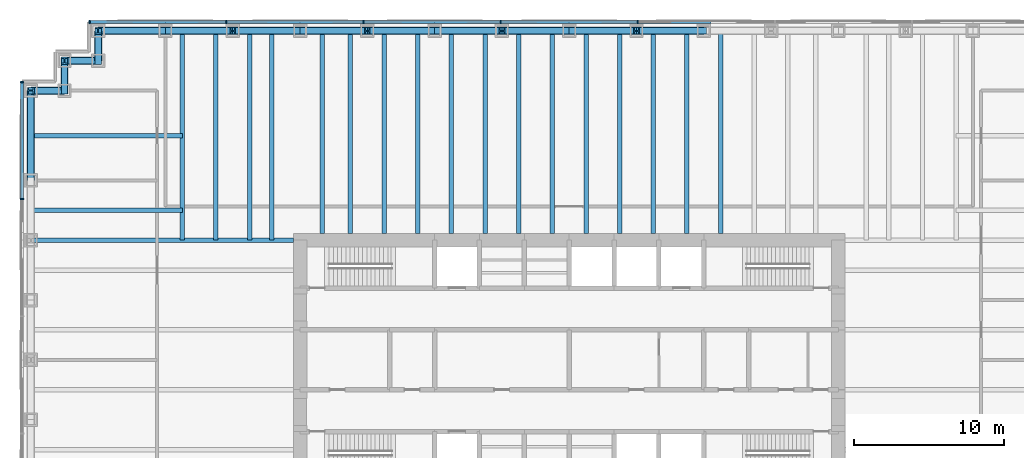
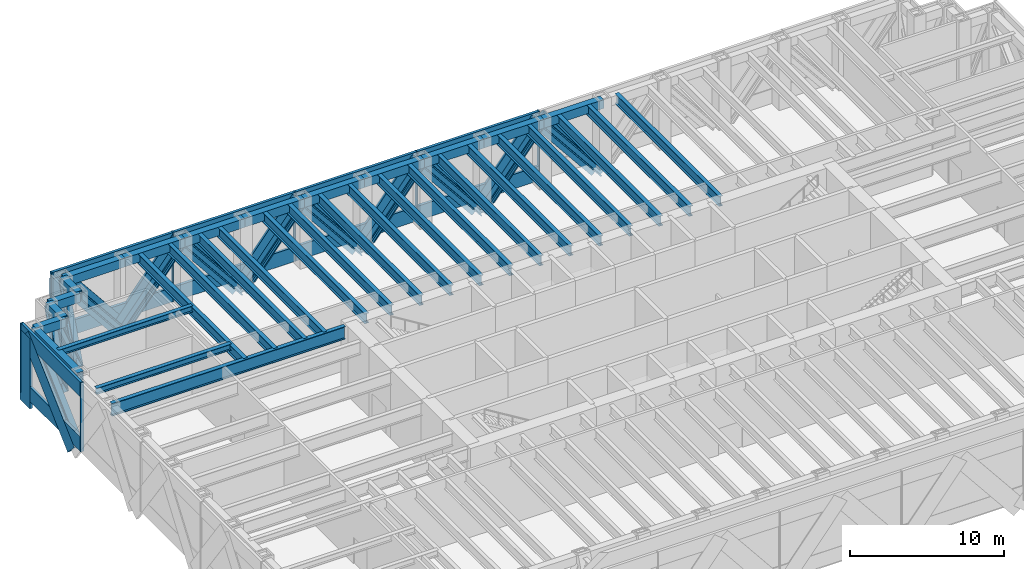
# One storey, part 6 of 16: 43 members, 34 beams, 2 elements without a shape of their own.
"""IFC4 building model written with IfcOpenShell, lengths in metres."""

from ifc_helpers import new_model, si_unit, direction, frame, origin, origin_2d, place, context, subcontext, project, spatial, rectangle, hollow_rectangle, i_section, extrude, material, material_profile, profile_set, type_object, element, aggregate, save


model = new_model("IFC4")

# Units and contexts
model_context = context("Model", 3, precision=1e-05, world=origin(), true_north=direction((0.0, 1.0)))
body_context = subcontext(model_context, "Body", "Model", "MODEL_VIEW")
ifc_project = project(units=[si_unit("LENGTHUNIT", "METRE"), si_unit("AREAUNIT", "SQUARE_METRE"), si_unit("VOLUMEUNIT", "CUBIC_METRE"), si_unit("PLANEANGLEUNIT", "RADIAN"), si_unit("MASSUNIT", "GRAM", prefix="KILO")], contexts=[model_context])

# Site, building, storey
site_placement = place(None, origin())
site = spatial("IfcSite", under=ifc_project, at=site_placement, CompositionType="ELEMENT")
building_placement = place(site_placement, origin())
building = spatial("IfcBuilding", under=site, at=building_placement, Name="Rheinbord Bourse Tower", CompositionType="ELEMENT")
storey_placement = place(building_placement, frame((0.0, 0.0, 95.0)))
storey = spatial("IfcBuildingStorey", under=building, at=storey_placement, Name="L20", CompositionType="ELEMENT", Elevation=95.0)

# Beams
ifc_material_1 = material(Name="Steel S460M", Category="steel")
ifc_material_profile_1 = material_profile(ifc_material_1, hollow_rectangle(XDim=0.5, YDim=0.699951171875, WallThickness=0.0400390625, at=origin_2d()), Name="BOX 700x500x40")
ifc_profile_set_1 = profile_set([ifc_material_profile_1], Name="Steel S460M")
beam_type_1 = type_object("IfcBeamType", Name="BELT CHORD BOX 700x500x40", PredefinedType="SPANDREL", material=ifc_profile_set_1)
for number, where, z_axis, x_axis, name in (
    (1, (45.0, 46.0, 4.989990234375), (-1.0, 0.0, 0.0), (0.0, -1.0, 0.0), "Spandrel N-45-N-40.5 under L21"),
    (2, (40.5, 46.0, 4.989990234375), (-1.0, 0.0, 0.0), (0.0, -1.0, 0.0), "Spandrel N-40.5-N-36 under L21"),
    (3, (36.0, 46.0, 4.989990234375), (-1.0, 0.0, 0.0), (0.0, -1.0, 0.0), "Spandrel N-36-N-31.5 under L21"),
    (4, (31.5, 46.0, 4.989990234375), (-1.0, 0.0, 0.0), (0.0, -1.0, 0.0), "Spandrel N-31.5-N-27 under L21"),
    (5, (27.0, 46.0, 4.989990234375), (-1.0, 0.0, 0.0), (0.0, -1.0, 0.0), "Spandrel N-27-N-22.5 under L21"),
    (6, (22.5, 46.0, 4.989990234375), (-1.0, 0.0, 0.0), (0.0, -1.0, 0.0), "Spandrel N-22.5-N-18 under L21"),
    (7, (18.0, 46.0, 4.989990234375), (-1.0, 0.0, 0.0), (0.0, -1.0, 0.0), "Spandrel N-18-N-13.5 under L21"),
    (8, (13.5, 46.0, 4.989990234375), (-1.0, 0.0, 0.0), (0.0, -1.0, 0.0), "Spandrel N-13.5-N-9 under L21"),
    (9, (9.0, 46.0, 4.989990234375), (-1.0, 0.0, 0.0), (0.0, -1.0, 0.0), "Spandrel N-9-NW-E under L21"),
):
    element("IfcBeam", number, at=place(storey_placement, frame(where, z_axis=z_axis, x_axis=x_axis)), inside=storey, type_object=beam_type_1, Name=name, PredefinedType="SPANDREL", context=body_context, shape_type="SweptSolid", body=[
        extrude(hollow_rectangle(XDim=0.5, YDim=0.699951171875, WallThickness=0.0400390625, at=origin_2d()), origin(), (0.0, 0.0, 1.0), 4.5),
    ])
beam_1_placement = place(storey_placement, frame((4.5, 46.0, 4.989990234375), z_axis=(0.0, -1.0, 0.0), x_axis=(1.0, 0.0, 0.0)))
element("IfcBeam", 10, at=beam_1_placement, inside=storey, type_object=beam_type_1, Name="Spandrel NW-E-NW-D under L21", PredefinedType="SPANDREL", context=body_context, shape_type="SweptSolid", body=[
    extrude(hollow_rectangle(XDim=0.5, YDim=0.699951171875, WallThickness=0.0400390625, at=origin_2d()), origin(), (0.0, 0.0, 1.0), 2.0),
])
beam_2_placement = place(storey_placement, frame((4.5, 44.0, 4.989990234375), z_axis=(-1.0, 0.0, 0.0), x_axis=(0.0, -1.0, 0.0)))
element("IfcBeam", 11, at=beam_2_placement, inside=storey, type_object=beam_type_1, Name="Spandrel NW-D-NW-C under L21", PredefinedType="SPANDREL", context=body_context, shape_type="SweptSolid", body=[
    extrude(hollow_rectangle(XDim=0.5, YDim=0.699951171875, WallThickness=0.0400390625, at=origin_2d()), origin(), (0.0, 0.0, 1.0), 2.25),
])
beam_3_placement = place(storey_placement, frame((2.25, 44.0, 4.989990234375), z_axis=(0.0, -1.0, 0.0), x_axis=(1.0, 0.0, 0.0)))
element("IfcBeam", 12, at=beam_3_placement, inside=storey, type_object=beam_type_1, Name="Spandrel NW-C-NW-B under L21", PredefinedType="SPANDREL", context=body_context, shape_type="SweptSolid", body=[
    extrude(hollow_rectangle(XDim=0.5, YDim=0.699951171875, WallThickness=0.0400390625, at=origin_2d()), origin(), (0.0, 0.0, 1.0), 2.0),
])
beam_4_placement = place(storey_placement, frame((2.25, 42.0, 4.989990234375), z_axis=(-1.0, 0.0, 0.0), x_axis=(0.0, -1.0, 0.0)))
element("IfcBeam", 13, at=beam_4_placement, inside=storey, type_object=beam_type_1, Name="Spandrel NW-B-NW-A under L21", PredefinedType="SPANDREL", context=body_context, shape_type="SweptSolid", body=[
    extrude(hollow_rectangle(XDim=0.5, YDim=0.699951171875, WallThickness=0.0400390625, at=origin_2d()), origin(), (0.0, 0.0, 1.0), 2.25),
])
beam_5_placement = place(storey_placement, frame((0.0, 42.0, 4.989990234375), z_axis=(0.0, -1.0, 0.0), x_axis=(1.0, 0.0, 0.0)))
element("IfcBeam", 14, at=beam_5_placement, inside=storey, type_object=beam_type_1, Name="Spandrel NW-A-W-36 under L21", PredefinedType="SPANDREL", context=body_context, shape_type="SweptSolid", body=[
    extrude(hollow_rectangle(XDim=0.5, YDim=0.699951171875, WallThickness=0.0400390625, at=origin_2d()), origin(), (0.0, 0.0, 1.0), 6.0),
])

# Members
ifc_material_2 = material(Name="Steel S460", Category="steel")
ifc_material_profile_2 = material_profile(ifc_material_2, i_section(OverallWidth=0.431884765625, OverallDepth=0.498046875, WebThickness=0.0556640625, FlangeThickness=0.0888671875, at=origin_2d()), Name="HD 400x744")
ifc_profile_set_2 = profile_set([ifc_material_profile_2], Name="Steel S460")
member_type_1 = type_object("IfcMemberType", Name="BELT DIAGONAL HD 400x744", PredefinedType="STRUT", material=ifc_profile_set_2)
for number, where, z_axis, x_axis, name in (
    (15, (45.0, 46.0, -0.60009765625), (-0.627065297878, 0.0, 0.778966695178), (0.0, -1.0, 0.0), "Belt truss diagonal N-45-N-40.5 L20"),
    (16, (36.0, 46.0, -0.60009765625), (0.627065297878, 0.0, 0.778966695178), (0.0, 1.0, 0.0), "Belt truss diagonal N-40.5-N-36 L20"),
    (17, (36.0, 46.0, -0.60009765625), (-0.627065297878, 0.0, 0.778966695178), (0.0, -1.0, 0.0), "Belt truss diagonal N-36-N-31.5 L20"),
    (18, (27.0, 46.0, -0.60009765625), (0.627065297878, 0.0, 0.778966695178), (0.0, 1.0, 0.0), "Belt truss diagonal N-31.5-N-27 L20"),
    (19, (27.0, 46.0, -0.60009765625), (-0.627065297878, 0.0, 0.778966695178), (0.0, -1.0, 0.0), "Belt truss diagonal N-27-N-22.5 L20"),
    (20, (18.0, 46.0, -0.60009765625), (0.627065297878, 0.0, 0.778966695178), (0.0, 1.0, 0.0), "Belt truss diagonal N-22.5-N-18 L20"),
    (21, (18.0, 46.0, -0.60009765625), (-0.627065297878, 0.0, 0.778966695178), (0.0, -1.0, 0.0), "Belt truss diagonal N-18-N-13.5 L20"),
    (22, (9.0, 46.0, -0.60009765625), (0.627065297878, 0.0, 0.778966695178), (0.0, 1.0, 0.0), "Belt truss diagonal N-13.5-N-9 L20"),
    (23, (9.0, 46.0, -0.60009765625), (-0.627065297878, 0.0, 0.778966695178), (0.0, -1.0, 0.0), "Belt truss diagonal N-9-NW-E L20"),
):
    element("IfcMember", number, at=place(storey_placement, frame(where, z_axis=z_axis, x_axis=x_axis)), inside=storey, type_object=member_type_1, Name=name, PredefinedType="STRUT", context=body_context, shape_type="SweptSolid", body=[
        extrude(i_section(OverallWidth=0.431884765625, OverallDepth=0.498046875, WebThickness=0.0556640625, FlangeThickness=0.0888671875, at=origin_2d()), origin(), (0.0, 0.0, 1.0), 7.17626953125),
    ])
member_1_placement = place(storey_placement, frame((4.5, 44.0, -0.60009765625), z_axis=(0.0, 0.336865151883, 0.941552903159), x_axis=(-1.0, 0.0, 0.0)))
element("IfcMember", 24, at=member_1_placement, inside=storey, type_object=member_type_1, Name="Belt truss diagonal NW-E-NW-D L20", PredefinedType="STRUT", context=body_context, shape_type="SweptSolid", body=[
    extrude(i_section(OverallWidth=0.431884765625, OverallDepth=0.498046875, WebThickness=0.0556640625, FlangeThickness=0.0888671875, at=origin_2d()), origin(), (0.0, 0.0, 1.0), 5.93701171875),
])
member_2_placement = place(storey_placement, frame((4.5, 44.0, -0.60009765625), z_axis=(-0.37338763268, 0.0, 0.92767541509), x_axis=(0.0, -1.0, 0.0)))
element("IfcMember", 25, at=member_2_placement, inside=storey, type_object=member_type_1, Name="Belt truss diagonal NW-D-NW-C L20", PredefinedType="STRUT", context=body_context, shape_type="SweptSolid", body=[
    extrude(i_section(OverallWidth=0.431884765625, OverallDepth=0.498046875, WebThickness=0.0556640625, FlangeThickness=0.0888671875, at=origin_2d()), origin(), (0.0, 0.0, 1.0), 6.02587890625),
])
member_3_placement = place(storey_placement, frame((2.25, 42.0, -0.60009765625), z_axis=(0.0, 0.336865151883, 0.941552903159), x_axis=(-1.0, 0.0, 0.0)))
element("IfcMember", 26, at=member_3_placement, inside=storey, type_object=member_type_1, Name="Belt truss diagonal NW-C-NW-B L20", PredefinedType="STRUT", context=body_context, shape_type="SweptSolid", body=[
    extrude(i_section(OverallWidth=0.431884765625, OverallDepth=0.498046875, WebThickness=0.0556640625, FlangeThickness=0.0888671875, at=origin_2d()), origin(), (0.0, 0.0, 1.0), 5.93701171875),
])
member_4_placement = place(storey_placement, frame((2.25, 42.0, -0.60009765625), z_axis=(-0.37338763268, 0.0, 0.92767541509), x_axis=(0.0, -1.0, 0.0)))
element("IfcMember", 27, at=member_4_placement, inside=storey, type_object=member_type_1, Name="Belt truss diagonal NW-B-NW-A L20", PredefinedType="STRUT", context=body_context, shape_type="SweptSolid", body=[
    extrude(i_section(OverallWidth=0.431884765625, OverallDepth=0.498046875, WebThickness=0.0556640625, FlangeThickness=0.0888671875, at=origin_2d()), origin(), (0.0, 0.0, 1.0), 6.02587890625),
])
member_5_placement = place(storey_placement, frame((0.0, 36.0, -0.60009765625), z_axis=(0.0, 0.731657903406, 0.681671997652), x_axis=(-1.0, 0.0, 0.0)))
element("IfcMember", 28, at=member_5_placement, inside=storey, type_object=member_type_1, Name="Belt truss diagonal NW-A-W-36 L20", PredefinedType="STRUT", context=body_context, shape_type="SweptSolid", body=[
    extrude(i_section(OverallWidth=0.431884765625, OverallDepth=0.498046875, WebThickness=0.0556640625, FlangeThickness=0.0888671875, at=origin_2d()), origin(), (0.0, 0.0, 1.0), 8.200439453125),
])

# Curtain wall, members
ifc_material_3 = material(Name="Dark glass and black aluminium", Category="aluminium")
curtain_wall_type = type_object("IfcCurtainWallType", Name="CW5 DARK GLASS CURTAIN WALL", PredefinedType="USERDEFINED", material=ifc_material_3)
curtain_wall_1_placement = place(storey_placement, origin())
curtain_wall_1 = element("IfcCurtainWall", 29, at=curtain_wall_1_placement, inside=storey, type_object=curtain_wall_type, Name="Curtain wall CW5 N L20", ObjectType="UNITISED CURTAIN WALL", PredefinedType="USERDEFINED")
ifc_material_4 = material(Name="Black anodised aluminium", Category="aluminium")
ifc_material_profile_3 = material_profile(ifc_material_4, rectangle(XDim=0.199951171875, YDim=1.259033203125, at=origin_2d()), Name="CW5 DIAGONAL MULLION 1259x200")
ifc_profile_set_3 = profile_set([ifc_material_profile_3], Name="Black anodised aluminium")
member_type_2 = type_object("IfcMemberType", Name="CW5 BLACK DIAGONAL MULLION", PredefinedType="USERDEFINED", material=ifc_profile_set_3)
member_6_placement = place(storey_placement, frame((45.0, 46.60009765625, -0.60009765625), z_axis=(-0.627065297878, 0.0, 0.778966695178), x_axis=(0.0, -1.0, 0.0)))
member_6 = element("IfcMember", 30, at=member_6_placement, type_object=member_type_2, Name="CW5 diagonal mullion belt N-45", ObjectType="DIAGONAL MULLION", PredefinedType="USERDEFINED", context=body_context, shape_type="SweptSolid", body=[
    extrude(rectangle(XDim=0.199951171875, YDim=1.259033203125, at=origin_2d()), origin(), (0.0, 0.0, 1.0), 7.17626953125),
])
member_7_placement = place(storey_placement, frame((36.0, 46.60009765625, -0.60009765625), z_axis=(0.627065297878, 0.0, 0.778966695178), x_axis=(0.0, 1.0, 0.0)))
member_7 = element("IfcMember", 31, at=member_7_placement, type_object=member_type_2, Name="CW5 diagonal mullion belt N-40.5", ObjectType="DIAGONAL MULLION", PredefinedType="USERDEFINED", context=body_context, shape_type="SweptSolid", body=[
    extrude(rectangle(XDim=0.199951171875, YDim=1.259033203125, at=origin_2d()), origin(), (0.0, 0.0, 1.0), 7.17626953125),
])
member_8_placement = place(storey_placement, frame((36.0, 46.60009765625, -0.60009765625), z_axis=(-0.627065297878, 0.0, 0.778966695178), x_axis=(0.0, -1.0, 0.0)))
member_8 = element("IfcMember", 32, at=member_8_placement, type_object=member_type_2, Name="CW5 diagonal mullion belt N-36", ObjectType="DIAGONAL MULLION", PredefinedType="USERDEFINED", context=body_context, shape_type="SweptSolid", body=[
    extrude(rectangle(XDim=0.199951171875, YDim=1.259033203125, at=origin_2d()), origin(), (0.0, 0.0, 1.0), 7.17626953125),
])
member_9_placement = place(storey_placement, frame((27.0, 46.60009765625, -0.60009765625), z_axis=(0.627065297878, 0.0, 0.778966695178), x_axis=(0.0, 1.0, 0.0)))
member_9 = element("IfcMember", 33, at=member_9_placement, type_object=member_type_2, Name="CW5 diagonal mullion belt N-31.5", ObjectType="DIAGONAL MULLION", PredefinedType="USERDEFINED", context=body_context, shape_type="SweptSolid", body=[
    extrude(rectangle(XDim=0.199951171875, YDim=1.259033203125, at=origin_2d()), origin(), (0.0, 0.0, 1.0), 7.17626953125),
])
member_10_placement = place(storey_placement, frame((27.0, 46.60009765625, -0.60009765625), z_axis=(-0.627065297878, 0.0, 0.778966695178), x_axis=(0.0, -1.0, 0.0)))
member_10 = element("IfcMember", 34, at=member_10_placement, type_object=member_type_2, Name="CW5 diagonal mullion belt N-27", ObjectType="DIAGONAL MULLION", PredefinedType="USERDEFINED", context=body_context, shape_type="SweptSolid", body=[
    extrude(rectangle(XDim=0.199951171875, YDim=1.259033203125, at=origin_2d()), origin(), (0.0, 0.0, 1.0), 7.17626953125),
])
member_11_placement = place(storey_placement, frame((18.0, 46.60009765625, -0.60009765625), z_axis=(0.627065297878, 0.0, 0.778966695178), x_axis=(0.0, 1.0, 0.0)))
member_11 = element("IfcMember", 35, at=member_11_placement, type_object=member_type_2, Name="CW5 diagonal mullion belt N-22.5", ObjectType="DIAGONAL MULLION", PredefinedType="USERDEFINED", context=body_context, shape_type="SweptSolid", body=[
    extrude(rectangle(XDim=0.199951171875, YDim=1.259033203125, at=origin_2d()), origin(), (0.0, 0.0, 1.0), 7.17626953125),
])
member_12_placement = place(storey_placement, frame((18.0, 46.60009765625, -0.60009765625), z_axis=(-0.627065297878, 0.0, 0.778966695178), x_axis=(0.0, -1.0, 0.0)))
member_12 = element("IfcMember", 36, at=member_12_placement, type_object=member_type_2, Name="CW5 diagonal mullion belt N-18", ObjectType="DIAGONAL MULLION", PredefinedType="USERDEFINED", context=body_context, shape_type="SweptSolid", body=[
    extrude(rectangle(XDim=0.199951171875, YDim=1.259033203125, at=origin_2d()), origin(), (0.0, 0.0, 1.0), 7.17626953125),
])
member_13_placement = place(storey_placement, frame((9.0, 46.60009765625, -0.60009765625), z_axis=(0.627065297878, 0.0, 0.778966695178), x_axis=(0.0, 1.0, 0.0)))
member_13 = element("IfcMember", 37, at=member_13_placement, type_object=member_type_2, Name="CW5 diagonal mullion belt N-13.5", ObjectType="DIAGONAL MULLION", PredefinedType="USERDEFINED", context=body_context, shape_type="SweptSolid", body=[
    extrude(rectangle(XDim=0.199951171875, YDim=1.259033203125, at=origin_2d()), origin(), (0.0, 0.0, 1.0), 7.17626953125),
])
member_14_placement = place(storey_placement, frame((9.0, 46.60009765625, -0.60009765625), z_axis=(-0.627065297878, 0.0, 0.778966695178), x_axis=(0.0, -1.0, 0.0)))
member_14 = element("IfcMember", 38, at=member_14_placement, type_object=member_type_2, Name="CW5 diagonal mullion belt N-9", ObjectType="DIAGONAL MULLION", PredefinedType="USERDEFINED", context=body_context, shape_type="SweptSolid", body=[
    extrude(rectangle(XDim=0.199951171875, YDim=1.259033203125, at=origin_2d()), origin(), (0.0, 0.0, 1.0), 7.17626953125),
])
member_15_placement = place(storey_placement, frame((4.5, 46.60009765625, -0.60009765625), z_axis=(0.0, 0.0, 1.0), x_axis=(0.0, -1.0, 0.0)))
member_15 = element("IfcMember", 39, at=member_15_placement, type_object=member_type_2, Name="CW5 diagonal mullion belt NW-E", ObjectType="DIAGONAL MULLION", PredefinedType="USERDEFINED", context=body_context, shape_type="SweptSolid", body=[
    extrude(rectangle(XDim=0.199951171875, YDim=1.259033203125, at=origin_2d()), origin(), (0.0, 0.0, 1.0), 5.590087890625),
])

curtain_wall_2_placement = place(storey_placement, origin())
curtain_wall_2 = element("IfcCurtainWall", 40, at=curtain_wall_2_placement, inside=storey, type_object=curtain_wall_type, Name="Curtain wall CW5 W L20", ObjectType="UNITISED CURTAIN WALL", PredefinedType="USERDEFINED")
member_16_placement = place(storey_placement, frame((-0.60009765625, 42.0, -0.60009765625), z_axis=(0.0, 0.0, 1.0), x_axis=(1.0, 0.0, 0.0)))
member_16 = element("IfcMember", 41, at=member_16_placement, type_object=member_type_2, Name="CW5 diagonal mullion belt NW-B", ObjectType="DIAGONAL MULLION", PredefinedType="USERDEFINED", context=body_context, shape_type="SweptSolid", body=[
    extrude(rectangle(XDim=0.199951171875, YDim=1.259033203125, at=origin_2d()), origin(), (0.0, 0.0, 1.0), 5.590087890625),
])
member_17_placement = place(storey_placement, frame((-0.60009765625, 36.0, -0.60009765625), z_axis=(0.0, 0.731657903406, 0.681671997652), x_axis=(-1.0, 0.0, 0.0)))
member_17 = element("IfcMember", 42, at=member_17_placement, type_object=member_type_2, Name="CW5 diagonal mullion belt NW-A", ObjectType="DIAGONAL MULLION", PredefinedType="USERDEFINED", context=body_context, shape_type="SweptSolid", body=[
    extrude(rectangle(XDim=0.199951171875, YDim=1.259033203125, at=origin_2d()), origin(), (0.0, 0.0, 1.0), 8.200439453125),
])

# Member
ifc_material_5 = material(Name="Black anodised aluminium", Category="aluminium")
ifc_material_profile_4 = material_profile(ifc_material_5, rectangle(XDim=0.25, YDim=0.080078125, at=origin_2d()), Name="CW5 MULLION 80x250")
ifc_profile_set_4 = profile_set([ifc_material_profile_4], Name="Black anodised aluminium")
member_type_3 = type_object("IfcMemberType", Name="CW5 BLACK MULLION", PredefinedType="MULLION", material=ifc_profile_set_4)
member_18_placement = place(storey_placement, frame((40.585693359375, 46.60009765625, 0.0), z_axis=(0.0, 0.0, 1.0), x_axis=(0.0, -1.0, 0.0)))
member_18 = element("IfcMember", 43, at=member_18_placement, type_object=member_type_3, Name="CW5 mullion 4", PredefinedType="MULLION", context=body_context, shape_type="SweptSolid", body=[
    extrude(rectangle(XDim=0.25, YDim=0.080078125, at=origin_2d()), origin(), (0.0, 0.0, 1.0), 5.5),
])

member_19_placement = place(storey_placement, frame((31.414306640625, 46.60009765625, 0.0), z_axis=(0.0, 0.0, 1.0), x_axis=(0.0, -1.0, 0.0)))
member_19 = element("IfcMember", 44, at=member_19_placement, type_object=member_type_3, Name="CW5 mullion 5", PredefinedType="MULLION", context=body_context, shape_type="SweptSolid", body=[
    extrude(rectangle(XDim=0.25, YDim=0.080078125, at=origin_2d()), origin(), (0.0, 0.0, 1.0), 5.5),
])

member_20_placement = place(storey_placement, frame((22.242919921875, 46.60009765625, 0.0), z_axis=(0.0, 0.0, 1.0), x_axis=(0.0, -1.0, 0.0)))
member_20 = element("IfcMember", 45, at=member_20_placement, type_object=member_type_3, Name="CW5 mullion 6", PredefinedType="MULLION", context=body_context, shape_type="SweptSolid", body=[
    extrude(rectangle(XDim=0.25, YDim=0.080078125, at=origin_2d()), origin(), (0.0, 0.0, 1.0), 5.5),
])

member_21_placement = place(storey_placement, frame((13.071533203125, 46.60009765625, 0.0), z_axis=(0.0, 0.0, 1.0), x_axis=(0.0, -1.0, 0.0)))
member_21 = element("IfcMember", 46, at=member_21_placement, type_object=member_type_3, Name="CW5 mullion 7", PredefinedType="MULLION", context=body_context, shape_type="SweptSolid", body=[
    extrude(rectangle(XDim=0.25, YDim=0.080078125, at=origin_2d()), origin(), (0.0, 0.0, 1.0), 5.5),
])

member_22_placement = place(storey_placement, frame((3.93994140625, 46.60009765625, 0.0), z_axis=(0.0, 0.0, 1.0), x_axis=(0.0, -1.0, 0.0)))
member_22 = element("IfcMember", 47, at=member_22_placement, type_object=member_type_3, Name="CW5 mullion 8", PredefinedType="MULLION", context=body_context, shape_type="SweptSolid", body=[
    extrude(rectangle(XDim=0.25, YDim=0.080078125, at=origin_2d()), origin(), (0.0, 0.0, 1.0), 5.5),
])

member_23_placement = place(storey_placement, frame((-0.60009765625, 42.56005859375, 0.0), z_axis=(0.0, 0.0, 1.0), x_axis=(1.0, 0.0, 0.0)))
member_23 = element("IfcMember", 48, at=member_23_placement, type_object=member_type_3, Name="CW5 mullion 1", PredefinedType="MULLION", context=body_context, shape_type="SweptSolid", body=[
    extrude(rectangle(XDim=0.25, YDim=0.080078125, at=origin_2d()), origin(), (0.0, 0.0, 1.0), 5.5),
])

member_24_placement = place(storey_placement, frame((-0.60009765625, 34.760009765625, 0.0), z_axis=(0.0, 0.0, 1.0), x_axis=(1.0, 0.0, 0.0)))
member_24 = element("IfcMember", 49, at=member_24_placement, type_object=member_type_3, Name="CW5 mullion 2", PredefinedType="MULLION", context=body_context, shape_type="SweptSolid", body=[
    extrude(rectangle(XDim=0.25, YDim=0.080078125, at=origin_2d()), origin(), (0.0, 0.0, 1.0), 5.5),
])

ifc_material_6 = material(Name="Black anodised aluminium", Category="aluminium")
ifc_material_profile_5 = material_profile(ifc_material_6, rectangle(XDim=0.199951171875, YDim=1.14990234375, at=origin_2d()), Name="CW5 TRANSOM 1150x200")
ifc_profile_set_5 = profile_set([ifc_material_profile_5], Name="Black anodised aluminium")
member_type_4 = type_object("IfcMemberType", Name="CW5 BLACK TRANSOM", PredefinedType="USERDEFINED", material=ifc_profile_set_5)
member_25_placement = place(storey_placement, frame((40.545654296875, 46.60009765625, 0.574951171875), z_axis=(-1.0, 0.0, 0.0), x_axis=(0.0, -1.0, 0.0)))
member_25 = element("IfcMember", 50, at=member_25_placement, type_object=member_type_4, Name="CW5 transom 4.1", ObjectType="TRANSOM", PredefinedType="USERDEFINED", context=body_context, shape_type="SweptSolid", body=[
    extrude(rectangle(XDim=0.199951171875, YDim=1.14990234375, at=origin_2d()), origin(), (0.0, 0.0, 1.0), 9.09130859375),
])

member_26_placement = place(storey_placement, frame((40.545654296875, 46.60009765625, 4.925048828125), z_axis=(-1.0, 0.0, 0.0), x_axis=(0.0, -1.0, 0.0)))
member_26 = element("IfcMember", 51, at=member_26_placement, type_object=member_type_4, Name="CW5 transom 4.2", ObjectType="TRANSOM", PredefinedType="USERDEFINED", context=body_context, shape_type="SweptSolid", body=[
    extrude(rectangle(XDim=0.199951171875, YDim=1.14990234375, at=origin_2d()), origin(), (0.0, 0.0, 1.0), 9.09130859375),
])

member_27_placement = place(storey_placement, frame((31.374267578125, 46.60009765625, 0.574951171875), z_axis=(-1.0, 0.0, 0.0), x_axis=(0.0, -1.0, 0.0)))
member_27 = element("IfcMember", 52, at=member_27_placement, type_object=member_type_4, Name="CW5 transom 5.1", ObjectType="TRANSOM", PredefinedType="USERDEFINED", context=body_context, shape_type="SweptSolid", body=[
    extrude(rectangle(XDim=0.199951171875, YDim=1.14990234375, at=origin_2d()), origin(), (0.0, 0.0, 1.0), 9.09130859375),
])

member_28_placement = place(storey_placement, frame((31.374267578125, 46.60009765625, 4.925048828125), z_axis=(-1.0, 0.0, 0.0), x_axis=(0.0, -1.0, 0.0)))
member_28 = element("IfcMember", 53, at=member_28_placement, type_object=member_type_4, Name="CW5 transom 5.2", ObjectType="TRANSOM", PredefinedType="USERDEFINED", context=body_context, shape_type="SweptSolid", body=[
    extrude(rectangle(XDim=0.199951171875, YDim=1.14990234375, at=origin_2d()), origin(), (0.0, 0.0, 1.0), 9.09130859375),
])

member_29_placement = place(storey_placement, frame((22.202880859375, 46.60009765625, 0.574951171875), z_axis=(-1.0, 0.0, 0.0), x_axis=(0.0, -1.0, 0.0)))
member_29 = element("IfcMember", 54, at=member_29_placement, type_object=member_type_4, Name="CW5 transom 6.1", ObjectType="TRANSOM", PredefinedType="USERDEFINED", context=body_context, shape_type="SweptSolid", body=[
    extrude(rectangle(XDim=0.199951171875, YDim=1.14990234375, at=origin_2d()), origin(), (0.0, 0.0, 1.0), 9.091552734375),
])

member_30_placement = place(storey_placement, frame((22.202880859375, 46.60009765625, 4.925048828125), z_axis=(-1.0, 0.0, 0.0), x_axis=(0.0, -1.0, 0.0)))
member_30 = element("IfcMember", 55, at=member_30_placement, type_object=member_type_4, Name="CW5 transom 6.2", ObjectType="TRANSOM", PredefinedType="USERDEFINED", context=body_context, shape_type="SweptSolid", body=[
    extrude(rectangle(XDim=0.199951171875, YDim=1.14990234375, at=origin_2d()), origin(), (0.0, 0.0, 1.0), 9.091552734375),
])

member_31_placement = place(storey_placement, frame((13.031494140625, 46.60009765625, 0.574951171875), z_axis=(-1.0, 0.0, 0.0), x_axis=(0.0, -1.0, 0.0)))
member_31 = element("IfcMember", 56, at=member_31_placement, type_object=member_type_4, Name="CW5 transom 7.1", ObjectType="TRANSOM", PredefinedType="USERDEFINED", context=body_context, shape_type="SweptSolid", body=[
    extrude(rectangle(XDim=0.199951171875, YDim=1.14990234375, at=origin_2d()), origin(), (0.0, 0.0, 1.0), 9.051513671875),
])

member_32_placement = place(storey_placement, frame((13.031494140625, 46.60009765625, 4.925048828125), z_axis=(-1.0, 0.0, 0.0), x_axis=(0.0, -1.0, 0.0)))
member_32 = element("IfcMember", 57, at=member_32_placement, type_object=member_type_4, Name="CW5 transom 7.2", ObjectType="TRANSOM", PredefinedType="USERDEFINED", context=body_context, shape_type="SweptSolid", body=[
    extrude(rectangle(XDim=0.199951171875, YDim=1.14990234375, at=origin_2d()), origin(), (0.0, 0.0, 1.0), 9.051513671875),
])

aggregate(curtain_wall_1, [member_18, member_19, member_20, member_21, member_22, member_25, member_26, member_27, member_28, member_29, member_30, member_31, member_32, member_6, member_7, member_8, member_9, member_10, member_11, member_12, member_13, member_14, member_15])

member_33_placement = place(storey_placement, frame((-0.60009765625, 42.52001953125, 0.574951171875), z_axis=(0.0, -1.0, 0.0), x_axis=(1.0, 0.0, 0.0)))
member_33 = element("IfcMember", 58, at=member_33_placement, type_object=member_type_4, Name="CW5 transom 1.1", ObjectType="TRANSOM", PredefinedType="USERDEFINED", context=body_context, shape_type="SweptSolid", body=[
    extrude(rectangle(XDim=0.199951171875, YDim=1.14990234375, at=origin_2d()), origin(), (0.0, 0.0, 1.0), 7.719970703125),
])

member_34_placement = place(storey_placement, frame((-0.60009765625, 42.52001953125, 4.925048828125), z_axis=(0.0, -1.0, 0.0), x_axis=(1.0, 0.0, 0.0)))
member_34 = element("IfcMember", 59, at=member_34_placement, type_object=member_type_4, Name="CW5 transom 1.2", ObjectType="TRANSOM", PredefinedType="USERDEFINED", context=body_context, shape_type="SweptSolid", body=[
    extrude(rectangle(XDim=0.199951171875, YDim=1.14990234375, at=origin_2d()), origin(), (0.0, 0.0, 1.0), 7.719970703125),
])

aggregate(curtain_wall_2, [member_23, member_24, member_33, member_34, member_16, member_17])

# Beams
ifc_material_7 = material(Name="Steel S460", Category="steel")
ifc_material_profile_6 = material_profile(ifc_material_7, i_section(OverallWidth=0.300048828125, OverallDepth=0.800048828125, WebThickness=0.017578125, FlangeThickness=0.032958984375, at=origin_2d()), Name="HEB 800")
ifc_profile_set_6 = profile_set([ifc_material_profile_6], Name="Steel S460")
beam_type_2 = type_object("IfcBeamType", Name="FLOOR BEAM HEB 800", PredefinedType="BEAM", material=ifc_profile_set_6)
for number, where, z_axis, x_axis, name in (
    (60, (10.125, 46.0, 4.93994140625), (0.0, -1.0, 0.0), (1.0, 0.0, 0.0), "Floor beam N-9a L21"),
    (61, (12.375, 46.0, 4.93994140625), (0.0, -1.0, 0.0), (1.0, 0.0, 0.0), "Floor beam N-9b L21"),
    (62, (14.625, 46.0, 4.93994140625), (0.0, -1.0, 0.0), (1.0, 0.0, 0.0), "Floor beam N-13.5a L21"),
    (63, (16.125, 46.0, 4.93994140625), (0.0, -1.0, 0.0), (1.0, 0.0, 0.0), "Floor beam N-13.5b L21"),
):
    element("IfcBeam", number, at=place(storey_placement, frame(where, z_axis=z_axis, x_axis=x_axis)), inside=storey, type_object=beam_type_2, Name=name, PredefinedType="BEAM", context=body_context, shape_type="SweptSolid", body=[
        extrude(i_section(OverallWidth=0.300048828125, OverallDepth=0.800048828125, WebThickness=0.017578125, FlangeThickness=0.032958984375, at=origin_2d()), origin(), (0.0, 0.0, 1.0), 14.0),
    ])
for number, where, z_axis, x_axis, name in (
    (64, (19.5, 46.0, 4.93994140625), (0.0, -1.0, 0.0), (1.0, 0.0, 0.0), "Floor beam N-18a L21"),
    (65, (21.375, 46.0, 4.93994140625), (0.0, -1.0, 0.0), (1.0, 0.0, 0.0), "Floor beam N-18b L21"),
    (66, (23.625, 46.0, 4.93994140625), (0.0, -1.0, 0.0), (1.0, 0.0, 0.0), "Floor beam N-22.5a L21"),
    (67, (25.875, 46.0, 4.93994140625), (0.0, -1.0, 0.0), (1.0, 0.0, 0.0), "Floor beam N-22.5b L21"),
    (68, (28.125, 46.0, 4.93994140625), (0.0, -1.0, 0.0), (1.0, 0.0, 0.0), "Floor beam N-27a L21"),
    (69, (30.375, 46.0, 4.93994140625), (0.0, -1.0, 0.0), (1.0, 0.0, 0.0), "Floor beam N-27b L21"),
    (70, (32.625, 46.0, 4.93994140625), (0.0, -1.0, 0.0), (1.0, 0.0, 0.0), "Floor beam N-31.5a L21"),
    (71, (34.875, 46.0, 4.93994140625), (0.0, -1.0, 0.0), (1.0, 0.0, 0.0), "Floor beam N-31.5b L21"),
    (72, (37.125, 46.0, 4.93994140625), (0.0, -1.0, 0.0), (1.0, 0.0, 0.0), "Floor beam N-36a L21"),
    (73, (39.375, 46.0, 4.93994140625), (0.0, -1.0, 0.0), (1.0, 0.0, 0.0), "Floor beam N-36b L21"),
    (74, (41.625, 46.0, 4.93994140625), (0.0, -1.0, 0.0), (1.0, 0.0, 0.0), "Floor beam N-40.5a L21"),
    (75, (43.875, 46.0, 4.93994140625), (0.0, -1.0, 0.0), (1.0, 0.0, 0.0), "Floor beam N-40.5b L21"),
    (76, (46.125, 46.0, 4.93994140625), (0.0, -1.0, 0.0), (1.0, 0.0, 0.0), "Floor beam N-45a L21"),
):
    element("IfcBeam", number, at=place(storey_placement, frame(where, z_axis=z_axis, x_axis=x_axis)), inside=storey, type_object=beam_type_2, Name=name, PredefinedType="BEAM", context=body_context, shape_type="SweptSolid", body=[
        extrude(i_section(OverallWidth=0.300048828125, OverallDepth=0.800048828125, WebThickness=0.017578125, FlangeThickness=0.032958984375, at=origin_2d()), origin(), (0.0, 0.0, 1.0), 13.550048828125),
    ])
ifc_material_8 = material(Name="Steel S460", Category="steel")
ifc_material_profile_7 = material_profile(ifc_material_8, i_section(OverallWidth=0.302001953125, OverallDepth=1.008056640625, WebThickness=0.02099609375, FlangeThickness=0.0400390625, at=origin_2d()), Name="HEM 1000")
ifc_profile_set_7 = profile_set([ifc_material_profile_7], Name="Steel S460")
beam_type_3 = type_object("IfcBeamType", Name="GIRDER HEM 1000", PredefinedType="BEAM", material=ifc_profile_set_7)
beam_6_placement = place(storey_placement, frame((0.0, 32.0, 4.8359375), z_axis=(1.0, 0.0, 0.0), x_axis=(0.0, 1.0, 0.0)))
element("IfcBeam", 77, at=beam_6_placement, inside=storey, type_object=beam_type_3, Name="Girder west 32 L21", PredefinedType="BEAM", context=body_context, shape_type="SweptSolid", body=[
    extrude(i_section(OverallWidth=0.302001953125, OverallDepth=1.008056640625, WebThickness=0.02099609375, FlangeThickness=0.0400390625, at=origin_2d()), origin(), (0.0, 0.0, 1.0), 17.550048828125),
])
ifc_material_9 = material(Name="Steel S460", Category="steel")
ifc_material_profile_8 = material_profile(ifc_material_9, i_section(OverallWidth=0.300048828125, OverallDepth=0.5, WebThickness=0.014404296875, FlangeThickness=0.028076171875, at=origin_2d()), Name="HEB 500")
ifc_profile_set_8 = profile_set([ifc_material_profile_8], Name="Steel S460")
beam_type_4 = type_object("IfcBeamType", Name="TIE BEAM HEB 500", PredefinedType="JOIST", material=ifc_profile_set_8)
for number, where, z_axis, x_axis, name in (
    (78, (0.0, 34.0, 5.090087890625), (1.0, 0.0, 0.0), (0.0, 1.0, 0.0), "Tie west 34 L21"),
    (79, (0.0, 39.0, 5.090087890625), (1.0, 0.0, 0.0), (0.0, 1.0, 0.0), "Tie west 39 L21"),
):
    element("IfcBeam", number, at=place(storey_placement, frame(where, z_axis=z_axis, x_axis=x_axis)), inside=storey, type_object=beam_type_4, Name=name, PredefinedType="JOIST", context=body_context, shape_type="SweptSolid", body=[
        extrude(i_section(OverallWidth=0.300048828125, OverallDepth=0.5, WebThickness=0.014404296875, FlangeThickness=0.028076171875, at=origin_2d()), origin(), (0.0, 0.0, 1.0), 10.125),
    ])

save(model, "model.ifc")
